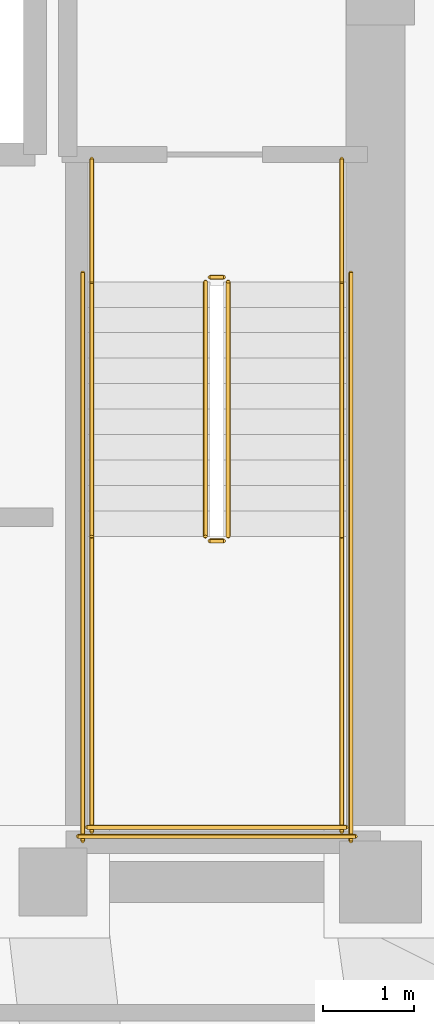
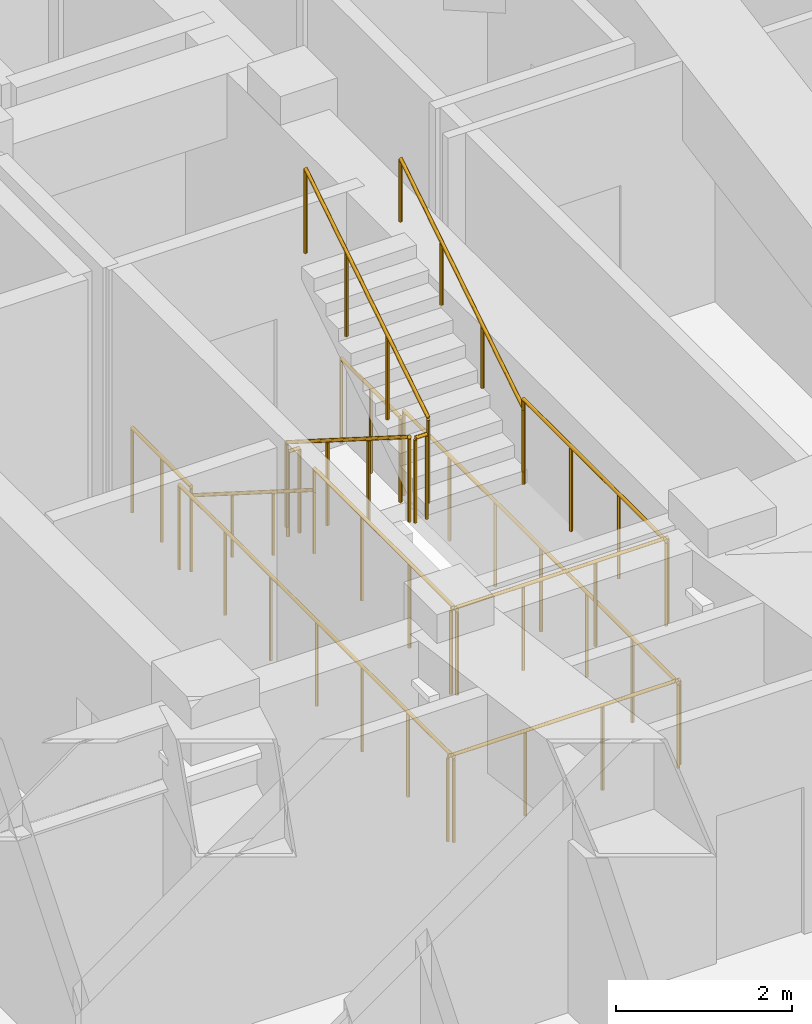
# One storey, part 12 of 12: 14 railings.
"""IFC4 building model written with IfcOpenShell, lengths in metres."""

from ifc_helpers import new_model, si_unit, direction, frame, origin, origin_2d, place, context, subcontext, project, spatial, circle, extrude, material, type_object, element, save


model = new_model("IFC4")

# Units and contexts
model_context = context("Model", 3, precision=1e-05, world=origin(), true_north=direction((0.0, 1.0)))
body_context = subcontext(model_context, "Body", "Model", "MODEL_VIEW")
ifc_project = project(units=[si_unit("LENGTHUNIT", "METRE"), si_unit("AREAUNIT", "SQUARE_METRE"), si_unit("VOLUMEUNIT", "CUBIC_METRE"), si_unit("PLANEANGLEUNIT", "RADIAN"), si_unit("MASSUNIT", "GRAM", prefix="KILO")], contexts=[model_context])

# Site, building, storey
site_placement = place(None, origin())
site = spatial("IfcSite", under=ifc_project, at=site_placement, CompositionType="ELEMENT")
building_placement = place(site_placement, origin())
building = spatial("IfcBuilding", under=site, at=building_placement, Name="Voryun Gate Residences", CompositionType="ELEMENT")
storey_placement = place(building_placement, frame((0.0, 0.0, 250.89990234375)))
storey = spatial("IfcBuildingStorey", under=building, at=storey_placement, Name="L62", CompositionType="ELEMENT", Elevation=250.89990234375)

# Railings
ifc_material_1 = material(Name="Painted steel", Category="steel")
railing_type_1 = type_object("IfcRailingType", Name="RAIL_STAIR_GUARD_1200", PredefinedType="GUARDRAIL", material=ifc_material_1)
railing_1_placement = place(storey_placement, frame((17.27490234375, -0.800048828125, 0.177490234375)))
element("IfcRailing", 1, at=railing_1_placement, inside=storey, type_object=railing_type_1, Name="L62 ST-E1 stair guard 1", PredefinedType="GUARDRAIL", context=body_context, shape_type="SweptSolid", body=[
    extrude(circle(Radius=0.02392578125, at=origin_2d()), frame((0.0, 0.0, 1.17578125), z_axis=(0.0, -0.844908973607, 0.534910110503), x_axis=(1.0, 0.0, 0.0)), (0.0, 0.0, 1.0), 3.31396484375),
    extrude(circle(Radius=0.02099609375, at=origin_2d()), origin(), (0.0, 0.0, 1.0), 1.15185546875),
    extrude(circle(Radius=0.02099609375, at=origin_2d()), frame((0.0, -0.933349609375, 0.5908203125)), (0.0, 0.0, 1.0), 1.15185546875),
    extrude(circle(Radius=0.02099609375, at=origin_2d()), frame((0.0, -1.86669921875, 1.181884765625)), (0.0, 0.0, 1.0), 1.15185546875),
    extrude(circle(Radius=0.02099609375, at=origin_2d()), frame((0.0, -2.800048828125, 1.772705078125)), (0.0, 0.0, 1.0), 1.15185546875),
])
railing_2_placement = place(storey_placement, frame((17.324951171875, -3.64990234375, 1.9501953125)))
element("IfcRailing", 2, at=railing_2_placement, inside=storey, type_object=railing_type_1, Name="L62 ST-E1 stair guard 2", PredefinedType="GUARDRAIL", context=body_context, shape_type="SweptSolid", body=[
    extrude(circle(Radius=0.02392578125, at=origin_2d()), frame((0.0, 0.0, 1.17578125), z_axis=(1.0, 0.0, 0.0), x_axis=(0.0, 1.0, 0.0)), (0.0, 0.0, 1.0), 0.150146484375),
    extrude(circle(Radius=0.02099609375, at=origin_2d()), origin(), (0.0, 0.0, 1.0), 1.15185546875),
    extrude(circle(Radius=0.02099609375, at=origin_2d()), frame((0.150146484375, 0.0, 0.0)), (0.0, 0.0, 1.0), 1.15185546875),
])
for number, where, name in (
    (3, (16.02490234375, -3.60009765625, 1.9501953125), "L62 ST-E1 stair guard 3"),
    (4, (18.77490234375, -3.60009765625, 1.9501953125), "L62 ST-E1 stair guard 4"),
):
    element("IfcRailing", number, at=place(storey_placement, frame(where)), inside=storey, type_object=railing_type_1, Name=name, PredefinedType="GUARDRAIL", context=body_context, shape_type="SweptSolid", body=[
        extrude(circle(Radius=0.02392578125, at=origin_2d()), frame((0.0, 0.0, 1.17578125), z_axis=(0.0, -1.0, 0.0), x_axis=(1.0, 0.0, 0.0)), (0.0, 0.0, 1.0), 3.25),
        extrude(circle(Radius=0.02099609375, at=origin_2d()), origin(), (0.0, 0.0, 1.0), 1.15185546875),
        extrude(circle(Radius=0.02099609375, at=origin_2d()), frame((0.0, -1.083251953125, 0.0)), (0.0, 0.0, 1.0), 1.15185546875),
        extrude(circle(Radius=0.02099609375, at=origin_2d()), frame((0.0, -2.166748046875, 0.0)), (0.0, 0.0, 1.0), 1.15185546875),
        extrude(circle(Radius=0.02099609375, at=origin_2d()), frame((0.0, -3.25, 0.0)), (0.0, 0.0, 1.0), 1.15185546875),
    ])
railing_3_placement = place(storey_placement, frame((15.97509765625, -6.800048828125, 1.9501953125)))
element("IfcRailing", 5, at=railing_3_placement, inside=storey, type_object=railing_type_1, Name="L62 ST-E1 stair guard 5", PredefinedType="GUARDRAIL", context=body_context, shape_type="SweptSolid", body=[
    extrude(circle(Radius=0.02392578125, at=origin_2d()), frame((0.0, 0.0, 1.17578125), z_axis=(1.0, 0.0, 0.0), x_axis=(0.0, 1.0, 0.0)), (0.0, 0.0, 1.0), 2.849853515625),
    extrude(circle(Radius=0.02099609375, at=origin_2d()), origin(), (0.0, 0.0, 1.0), 1.15185546875),
    extrude(circle(Radius=0.02099609375, at=origin_2d()), frame((0.949951171875, 0.0, 0.0)), (0.0, 0.0, 1.0), 1.15185546875),
    extrude(circle(Radius=0.02099609375, at=origin_2d()), frame((1.89990234375, 0.0, 0.0)), (0.0, 0.0, 1.0), 1.15185546875),
    extrude(circle(Radius=0.02099609375, at=origin_2d()), frame((2.849853515625, 0.0, 0.0)), (0.0, 0.0, 1.0), 1.15185546875),
])
railing_4_placement = place(storey_placement, frame((17.52490234375, -3.60009765625, 2.12744140625)))
element("IfcRailing", 6, at=railing_4_placement, inside=storey, type_object=railing_type_1, Name="L62 ST-E1 stair guard 6", PredefinedType="GUARDRAIL", context=body_context, shape_type="SweptSolid", body=[
    extrude(circle(Radius=0.02392578125, at=origin_2d()), frame((0.0, 0.0, 1.17578125), z_axis=(0.0, 0.844908973607, 0.534910110503), x_axis=(-1.0, 0.0, 0.0)), (0.0, 0.0, 1.0), 3.31396484375),
    extrude(circle(Radius=0.02099609375, at=origin_2d()), origin(), (0.0, 0.0, 1.0), 1.15185546875),
    extrude(circle(Radius=0.02099609375, at=origin_2d()), frame((0.0, 0.933349609375, 0.5908203125)), (0.0, 0.0, 1.0), 1.15185546875),
    extrude(circle(Radius=0.02099609375, at=origin_2d()), frame((0.0, 1.86669921875, 1.181884765625)), (0.0, 0.0, 1.0), 1.15185546875),
    extrude(circle(Radius=0.02099609375, at=origin_2d()), frame((0.0, 2.800048828125, 1.772705078125)), (0.0, 0.0, 1.0), 1.15185546875),
])
railing_5_placement = place(storey_placement, frame((17.324951171875, -0.75, 0.0)))
element("IfcRailing", 7, at=railing_5_placement, inside=storey, type_object=railing_type_1, Name="L62 ST-E1 stair guard 7", PredefinedType="GUARDRAIL", context=body_context, shape_type="SweptSolid", body=[
    extrude(circle(Radius=0.02392578125, at=origin_2d()), frame((0.0, 0.0, 1.17578125), z_axis=(1.0, 0.0, 0.0), x_axis=(0.0, 1.0, 0.0)), (0.0, 0.0, 1.0), 0.150146484375),
    extrude(circle(Radius=0.02099609375, at=origin_2d()), origin(), (0.0, 0.0, 1.0), 1.15185546875),
    extrude(circle(Radius=0.02099609375, at=origin_2d()), frame((0.150146484375, 0.0, 0.0)), (0.0, 0.0, 1.0), 1.15185546875),
])
for number, where, name in (
    (8, (16.02490234375, 0.550048828125, 0.0), "L62 ST-E1 stair guard 8"),
    (9, (18.77490234375, 0.550048828125, 0.0), "L62 ST-E1 stair guard 9"),
):
    element("IfcRailing", number, at=place(storey_placement, frame(where)), inside=storey, type_object=railing_type_1, Name=name, PredefinedType="GUARDRAIL", context=body_context, shape_type="SweptSolid", body=[
        extrude(circle(Radius=0.02392578125, at=origin_2d()), frame((0.0, 0.0, 1.17578125), z_axis=(0.0, -1.0, 0.0), x_axis=(1.0, 0.0, 0.0)), (0.0, 0.0, 1.0), 1.35009765625),
        extrude(circle(Radius=0.02099609375, at=origin_2d()), origin(), (0.0, 0.0, 1.0), 1.15185546875),
        extrude(circle(Radius=0.02099609375, at=origin_2d()), frame((0.0, -0.675048828125, 0.0)), (0.0, 0.0, 1.0), 1.15185546875),
        extrude(circle(Radius=0.02099609375, at=origin_2d()), frame((0.0, -1.35009765625, 0.0)), (0.0, 0.0, 1.0), 1.15185546875),
    ])
for number, where, name in (
    (10, (15.925048828125, -0.699951171875, 0.0), "L62 ST-E1 stair guard 10"),
    (11, (18.875, -0.699951171875, 0.0), "L62 ST-E1 stair guard 11"),
):
    element("IfcRailing", number, at=place(storey_placement, frame(where)), inside=storey, type_object=railing_type_1, Name=name, PredefinedType="GUARDRAIL", context=body_context, shape_type="SweptSolid", body=[
        extrude(circle(Radius=0.02392578125, at=origin_2d()), frame((0.0, 0.0, 1.17578125), z_axis=(0.0, -1.0, 0.0), x_axis=(1.0, 0.0, 0.0)), (0.0, 0.0, 1.0), 6.25),
        extrude(circle(Radius=0.02099609375, at=origin_2d()), origin(), (0.0, 0.0, 1.0), 1.15185546875),
        extrude(circle(Radius=0.02099609375, at=origin_2d()), frame((0.0, -1.041748046875, 0.0)), (0.0, 0.0, 1.0), 1.15185546875),
        extrude(circle(Radius=0.02099609375, at=origin_2d()), frame((0.0, -2.083251953125, 0.0)), (0.0, 0.0, 1.0), 1.15185546875),
        extrude(circle(Radius=0.02099609375, at=origin_2d()), frame((0.0, -3.125, 0.0)), (0.0, 0.0, 1.0), 1.15185546875),
        extrude(circle(Radius=0.02099609375, at=origin_2d()), frame((0.0, -4.166748046875, 0.0)), (0.0, 0.0, 1.0), 1.15185546875),
        extrude(circle(Radius=0.02099609375, at=origin_2d()), frame((0.0, -5.208251953125, 0.0)), (0.0, 0.0, 1.0), 1.15185546875),
        extrude(circle(Radius=0.02099609375, at=origin_2d()), frame((0.0, -6.25, 0.0)), (0.0, 0.0, 1.0), 1.15185546875),
    ])
railing_6_placement = place(storey_placement, frame((15.875, -6.89990234375, 0.0)))
element("IfcRailing", 12, at=railing_6_placement, inside=storey, type_object=railing_type_1, Name="L62 ST-E1 stair guard 12", PredefinedType="GUARDRAIL", context=body_context, shape_type="SweptSolid", body=[
    extrude(circle(Radius=0.02392578125, at=origin_2d()), frame((0.0, 0.0, 1.17578125), z_axis=(1.0, 0.0, 0.0), x_axis=(0.0, 1.0, 0.0)), (0.0, 0.0, 1.0), 3.050048828125),
    extrude(circle(Radius=0.02099609375, at=origin_2d()), origin(), (0.0, 0.0, 1.0), 1.15185546875),
    extrude(circle(Radius=0.02099609375, at=origin_2d()), frame((1.0166015625, 0.0, 0.0)), (0.0, 0.0, 1.0), 1.15185546875),
    extrude(circle(Radius=0.02099609375, at=origin_2d()), frame((2.033447265625, 0.0, 0.0)), (0.0, 0.0, 1.0), 1.15185546875),
    extrude(circle(Radius=0.02099609375, at=origin_2d()), frame((3.050048828125, 0.0, 0.0)), (0.0, 0.0, 1.0), 1.15185546875),
])
ifc_material_2 = material(Name="Painted steel", Category="steel")
railing_type_2 = type_object("IfcRailingType", Name="RAIL_STAIR_HANDRAIL_900", PredefinedType="HANDRAIL", material=ifc_material_2)
railing_7_placement = place(storey_placement, frame((16.02490234375, -0.800048828125, 0.177490234375)))
element("IfcRailing", 13, at=railing_7_placement, inside=storey, type_object=railing_type_2, Name="L62 ST-E1 stair handrail 1", PredefinedType="HANDRAIL", context=body_context, shape_type="SweptSolid", body=[
    extrude(circle(Radius=0.02392578125, at=origin_2d()), frame((0.0, 0.0, 0.8759765625), z_axis=(0.0, -0.844908973607, 0.534910110503), x_axis=(1.0, 0.0, 0.0)), (0.0, 0.0, 1.0), 3.31396484375),
    extrude(circle(Radius=0.02099609375, at=origin_2d()), origin(), (0.0, 0.0, 1.0), 0.851806640625),
    extrude(circle(Radius=0.02099609375, at=origin_2d()), frame((0.0, -0.933349609375, 0.5908203125)), (0.0, 0.0, 1.0), 0.851806640625),
    extrude(circle(Radius=0.02099609375, at=origin_2d()), frame((0.0, -1.86669921875, 1.181884765625)), (0.0, 0.0, 1.0), 0.851806640625),
    extrude(circle(Radius=0.02099609375, at=origin_2d()), frame((0.0, -2.800048828125, 1.772705078125)), (0.0, 0.0, 1.0), 0.851806640625),
])
railing_8_placement = place(storey_placement, frame((18.77490234375, -3.60009765625, 2.12744140625)))
element("IfcRailing", 14, at=railing_8_placement, inside=storey, type_object=railing_type_2, Name="L62 ST-E1 stair handrail 2", PredefinedType="HANDRAIL", context=body_context, shape_type="SweptSolid", body=[
    extrude(circle(Radius=0.02392578125, at=origin_2d()), frame((0.0, 0.0, 0.8759765625), z_axis=(0.0, 0.844908973607, 0.534910110503), x_axis=(-1.0, 0.0, 0.0)), (0.0, 0.0, 1.0), 3.31396484375),
    extrude(circle(Radius=0.02099609375, at=origin_2d()), origin(), (0.0, 0.0, 1.0), 0.851806640625),
    extrude(circle(Radius=0.02099609375, at=origin_2d()), frame((0.0, 0.933349609375, 0.5908203125)), (0.0, 0.0, 1.0), 0.851806640625),
    extrude(circle(Radius=0.02099609375, at=origin_2d()), frame((0.0, 1.86669921875, 1.181884765625)), (0.0, 0.0, 1.0), 0.851806640625),
    extrude(circle(Radius=0.02099609375, at=origin_2d()), frame((0.0, 2.800048828125, 1.772705078125)), (0.0, 0.0, 1.0), 0.851806640625),
])

save(model, "model.ifc")
